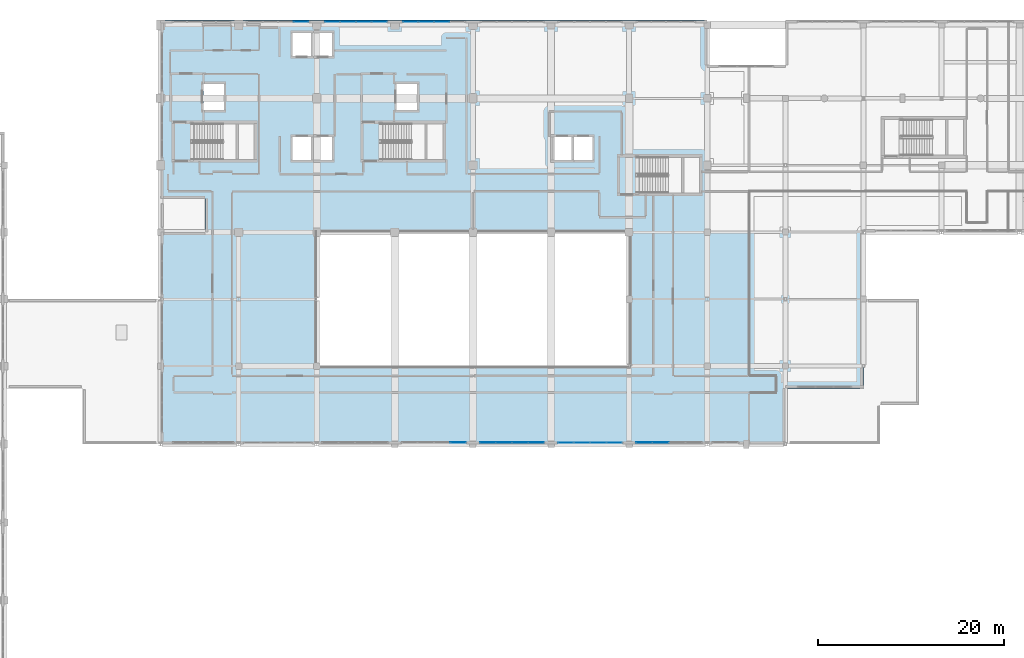
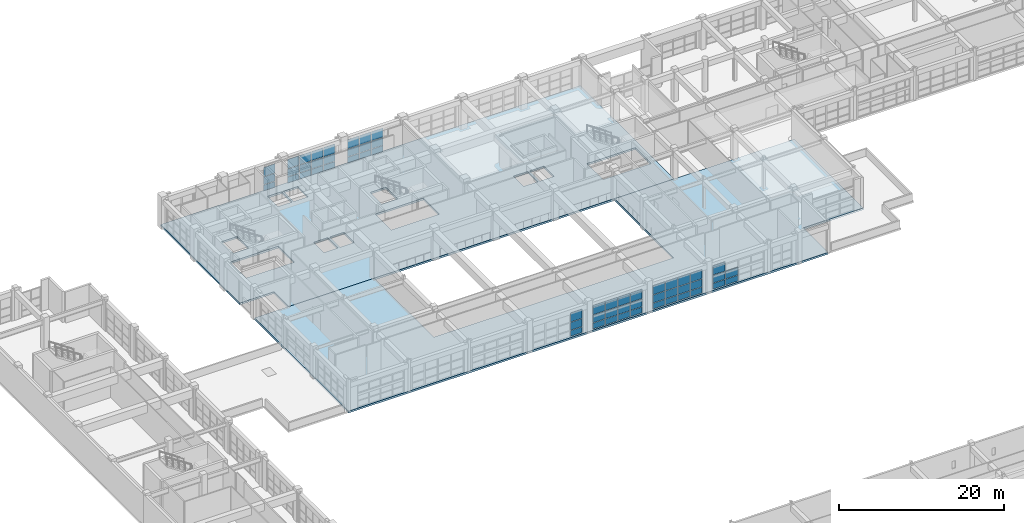
# One storey, part 94 of 123: 56 plates, 2 slabs, 7 elements without a shape of their own.
"""IFC4 building model written with IfcOpenShell, lengths in metres."""

from ifc_helpers import new_model, si_unit, direction, frame, origin, origin_2d, place, context, subcontext, project, spatial, polyline, rectangle, outline, extrude, material, layer, layer_set, type_object, element, aggregate, save


model = new_model("IFC4")

# Units and contexts
model_context = context("Model", 3, precision=1e-05, world=origin(), true_north=direction((0.0, 1.0)))
body_context = subcontext(model_context, "Body", "Model", "MODEL_VIEW")
ifc_project = project(units=[si_unit("LENGTHUNIT", "METRE"), si_unit("AREAUNIT", "SQUARE_METRE"), si_unit("VOLUMEUNIT", "CUBIC_METRE"), si_unit("PLANEANGLEUNIT", "RADIAN"), si_unit("MASSUNIT", "GRAM", prefix="KILO")], contexts=[model_context])

# Site, building, storey
site_placement = place(None, origin())
site = spatial("IfcSite", under=ifc_project, at=site_placement, CompositionType="ELEMENT")
building_placement = place(site_placement, origin())
building = spatial("IfcBuilding", under=site, at=building_placement, Name="Quendrovan Civic Courthouse", CompositionType="ELEMENT")
storey_placement = place(building_placement, frame((0.0, 0.0, 5.39990234375)))
storey = spatial("IfcBuildingStorey", under=building, at=storey_placement, Name="L02", CompositionType="ELEMENT", Elevation=5.39990234375)

# Curtain wall, plates
ifc_material_1 = material(Name="Bronze anodised aluminium and low-E glass", Category="aluminium")
ifc_layer_1 = layer(ifc_material_1, 0.179931640625, Name="Bronze anodised aluminium and low-E glass")
ifc_layer_set_1 = layer_set([ifc_layer_1], Name="Bronze anodised aluminium and low-E glass")
curtain_wall_type_1 = type_object("IfcCurtainWallType", Name="CW-U68x36", PredefinedType="USERDEFINED", material=ifc_layer_set_1)
curtain_wall_1_placement = place(storey_placement, origin())
curtain_wall_1 = element("IfcCurtainWall", 1, at=curtain_wall_1_placement, inside=storey, type_object=curtain_wall_type_1, Name="L02 Unitised Hurricane Curtain Wall CW-084", ObjectType="UNITISED CURTAIN WALL", PredefinedType="USERDEFINED")
ifc_material_2 = material(Name="Laminated hurricane-impact low-E glass", Category="glass")
ifc_layer_2 = layer(ifc_material_2, 0.028076171875, Name="Laminated hurricane-impact low-E glass")
ifc_layer_set_2 = layer_set([ifc_layer_2], Name="Laminated hurricane-impact low-E glass")
plate_type_1 = type_object("IfcPlateType", Name="CW-PNL-1", PredefinedType="CURTAIN_PANEL", material=ifc_layer_set_2)
plate_1_placement = place(storey_placement, frame((60.486328125, 110.235107421875, 0.0703125), z_axis=(0.0, 0.0, 1.0), x_axis=(1.0, 0.0, 0.0)))
plate_1 = element("IfcPlate", 2, at=plate_1_placement, type_object=plate_type_1, Name="CW-084 panel 1.1", PredefinedType="CURTAIN_PANEL", context=body_context, shape_type="SweptSolid", body=[
    extrude(rectangle(XDim=1.58251953125, YDim=0.028076171875, at=origin_2d()), origin(), (0.0, 0.0, 1.0), 0.844970703125),
])
plate_2_placement = place(storey_placement, frame((60.486328125, 110.235107421875, 0.985107421875), z_axis=(0.0, 0.0, 1.0), x_axis=(1.0, 0.0, 0.0)))
plate_2 = element("IfcPlate", 3, at=plate_2_placement, type_object=plate_type_1, Name="CW-084 panel 1.2", PredefinedType="CURTAIN_PANEL", context=body_context, shape_type="SweptSolid", body=[
    extrude(rectangle(XDim=1.58251953125, YDim=0.028076171875, at=origin_2d()), origin(), (0.0, 0.0, 1.0), 1.1298828125),
])
plate_3_placement = place(storey_placement, frame((60.486328125, 110.235107421875, 2.18505859375), z_axis=(0.0, 0.0, 1.0), x_axis=(1.0, 0.0, 0.0)))
plate_3 = element("IfcPlate", 4, at=plate_3_placement, type_object=plate_type_1, Name="CW-084 panel 1.3", PredefinedType="CURTAIN_PANEL", context=body_context, shape_type="SweptSolid", body=[
    extrude(rectangle(XDim=1.58251953125, YDim=0.028076171875, at=origin_2d()), origin(), (0.0, 0.0, 1.0), 1.344970703125),
])
plate_4_placement = place(storey_placement, frame((62.15625, 110.235107421875, 0.0703125), z_axis=(0.0, 0.0, 1.0), x_axis=(1.0, 0.0, 0.0)))
plate_4 = element("IfcPlate", 5, at=plate_4_placement, type_object=plate_type_1, Name="CW-084 panel 2.1", PredefinedType="CURTAIN_PANEL", context=body_context, shape_type="SweptSolid", body=[
    extrude(rectangle(XDim=1.617431640625, YDim=0.028076171875, at=origin_2d()), origin(), (0.0, 0.0, 1.0), 0.844970703125),
])
plate_5_placement = place(storey_placement, frame((62.15625, 110.235107421875, 0.985107421875), z_axis=(0.0, 0.0, 1.0), x_axis=(1.0, 0.0, 0.0)))
plate_5 = element("IfcPlate", 6, at=plate_5_placement, type_object=plate_type_1, Name="CW-084 panel 2.2", PredefinedType="CURTAIN_PANEL", context=body_context, shape_type="SweptSolid", body=[
    extrude(rectangle(XDim=1.617431640625, YDim=0.028076171875, at=origin_2d()), origin(), (0.0, 0.0, 1.0), 1.1298828125),
])
plate_6_placement = place(storey_placement, frame((62.15625, 110.235107421875, 2.18505859375), z_axis=(0.0, 0.0, 1.0), x_axis=(1.0, 0.0, 0.0)))
plate_6 = element("IfcPlate", 7, at=plate_6_placement, type_object=plate_type_1, Name="CW-084 panel 2.3", PredefinedType="CURTAIN_PANEL", context=body_context, shape_type="SweptSolid", body=[
    extrude(rectangle(XDim=1.617431640625, YDim=0.028076171875, at=origin_2d()), origin(), (0.0, 0.0, 1.0), 1.344970703125),
])
plate_7_placement = place(storey_placement, frame((63.84375, 110.235107421875, 0.0703125), z_axis=(0.0, 0.0, 1.0), x_axis=(1.0, 0.0, 0.0)))
plate_7 = element("IfcPlate", 8, at=plate_7_placement, type_object=plate_type_1, Name="CW-084 panel 3.1", PredefinedType="CURTAIN_PANEL", context=body_context, shape_type="SweptSolid", body=[
    extrude(rectangle(XDim=1.617431640625, YDim=0.028076171875, at=origin_2d()), origin(), (0.0, 0.0, 1.0), 0.844970703125),
])
plate_8_placement = place(storey_placement, frame((63.84375, 110.235107421875, 0.985107421875), z_axis=(0.0, 0.0, 1.0), x_axis=(1.0, 0.0, 0.0)))
plate_8 = element("IfcPlate", 9, at=plate_8_placement, type_object=plate_type_1, Name="CW-084 panel 3.2", PredefinedType="CURTAIN_PANEL", context=body_context, shape_type="SweptSolid", body=[
    extrude(rectangle(XDim=1.617431640625, YDim=0.028076171875, at=origin_2d()), origin(), (0.0, 0.0, 1.0), 1.1298828125),
])
plate_9_placement = place(storey_placement, frame((63.84375, 110.235107421875, 2.18505859375), z_axis=(0.0, 0.0, 1.0), x_axis=(1.0, 0.0, 0.0)))
plate_9 = element("IfcPlate", 10, at=plate_9_placement, type_object=plate_type_1, Name="CW-084 panel 3.3", PredefinedType="CURTAIN_PANEL", context=body_context, shape_type="SweptSolid", body=[
    extrude(rectangle(XDim=1.617431640625, YDim=0.028076171875, at=origin_2d()), origin(), (0.0, 0.0, 1.0), 1.344970703125),
])
aggregate(curtain_wall_1, [plate_1, plate_2, plate_3, plate_4, plate_5, plate_6, plate_7, plate_8, plate_9])

ifc_layer_3 = layer(ifc_material_1, 0.179931640625, Name="Bronze anodised aluminium and low-E glass")
ifc_layer_set_3 = layer_set([ifc_layer_3], Name="Bronze anodised aluminium and low-E glass")
curtain_wall_type_2 = type_object("IfcCurtainWallType", Name="CW-U70x36", PredefinedType="USERDEFINED", material=ifc_layer_set_3)
curtain_wall_2_placement = place(storey_placement, origin())
curtain_wall_2 = element("IfcCurtainWall", 11, at=curtain_wall_2_placement, inside=storey, type_object=curtain_wall_type_2, Name="L02 Unitised Hurricane Curtain Wall CW-108", ObjectType="UNITISED CURTAIN WALL", PredefinedType="USERDEFINED")
plate_10_placement = place(storey_placement, frame((82.407470703125, 64.965087890625, 0.0703125), z_axis=(0.0, 0.0, 1.0), x_axis=(-1.0, 0.0, 0.0)))
plate_10 = element("IfcPlate", 12, at=plate_10_placement, type_object=plate_type_1, Name="CW-108 panel 1.1", PredefinedType="CURTAIN_PANEL", context=body_context, shape_type="SweptSolid", body=[
    extrude(rectangle(XDim=1.64501953125, YDim=0.028076171875, at=origin_2d()), origin(), (0.0, 0.0, 1.0), 0.844970703125),
])
plate_11_placement = place(storey_placement, frame((82.407470703125, 64.965087890625, 0.985107421875), z_axis=(0.0, 0.0, 1.0), x_axis=(-1.0, 0.0, 0.0)))
plate_11 = element("IfcPlate", 13, at=plate_11_placement, type_object=plate_type_1, Name="CW-108 panel 1.2", PredefinedType="CURTAIN_PANEL", context=body_context, shape_type="SweptSolid", body=[
    extrude(rectangle(XDim=1.64501953125, YDim=0.028076171875, at=origin_2d()), origin(), (0.0, 0.0, 1.0), 1.1298828125),
])
plate_12_placement = place(storey_placement, frame((82.407470703125, 64.965087890625, 2.18505859375), z_axis=(0.0, 0.0, 1.0), x_axis=(-1.0, 0.0, 0.0)))
plate_12 = element("IfcPlate", 14, at=plate_12_placement, type_object=plate_type_1, Name="CW-108 panel 1.3", PredefinedType="CURTAIN_PANEL", context=body_context, shape_type="SweptSolid", body=[
    extrude(rectangle(XDim=1.64501953125, YDim=0.028076171875, at=origin_2d()), origin(), (0.0, 0.0, 1.0), 1.344970703125),
])
plate_13_placement = place(storey_placement, frame((80.675048828125, 64.965087890625, 0.0703125), z_axis=(0.0, 0.0, 1.0), x_axis=(-1.0, 0.0, 0.0)))
plate_13 = element("IfcPlate", 15, at=plate_13_placement, type_object=plate_type_1, Name="CW-108 panel 2.1", PredefinedType="CURTAIN_PANEL", context=body_context, shape_type="SweptSolid", body=[
    extrude(rectangle(XDim=1.679931640625, YDim=0.028076171875, at=origin_2d()), origin(), (0.0, 0.0, 1.0), 0.844970703125),
])
plate_14_placement = place(storey_placement, frame((80.675048828125, 64.965087890625, 0.985107421875), z_axis=(0.0, 0.0, 1.0), x_axis=(-1.0, 0.0, 0.0)))
plate_14 = element("IfcPlate", 16, at=plate_14_placement, type_object=plate_type_1, Name="CW-108 panel 2.2", PredefinedType="CURTAIN_PANEL", context=body_context, shape_type="SweptSolid", body=[
    extrude(rectangle(XDim=1.679931640625, YDim=0.028076171875, at=origin_2d()), origin(), (0.0, 0.0, 1.0), 1.1298828125),
])
plate_15_placement = place(storey_placement, frame((80.675048828125, 64.965087890625, 2.18505859375), z_axis=(0.0, 0.0, 1.0), x_axis=(-1.0, 0.0, 0.0)))
plate_15 = element("IfcPlate", 17, at=plate_15_placement, type_object=plate_type_1, Name="CW-108 panel 2.3", PredefinedType="CURTAIN_PANEL", context=body_context, shape_type="SweptSolid", body=[
    extrude(rectangle(XDim=1.679931640625, YDim=0.028076171875, at=origin_2d()), origin(), (0.0, 0.0, 1.0), 1.344970703125),
])
plate_16_placement = place(storey_placement, frame((78.925048828125, 64.965087890625, 0.0703125), z_axis=(0.0, 0.0, 1.0), x_axis=(-1.0, 0.0, 0.0)))
plate_16 = element("IfcPlate", 18, at=plate_16_placement, type_object=plate_type_1, Name="CW-108 panel 3.1", PredefinedType="CURTAIN_PANEL", context=body_context, shape_type="SweptSolid", body=[
    extrude(rectangle(XDim=1.679931640625, YDim=0.028076171875, at=origin_2d()), origin(), (0.0, 0.0, 1.0), 0.844970703125),
])
plate_17_placement = place(storey_placement, frame((78.925048828125, 64.965087890625, 0.985107421875), z_axis=(0.0, 0.0, 1.0), x_axis=(-1.0, 0.0, 0.0)))
plate_17 = element("IfcPlate", 19, at=plate_17_placement, type_object=plate_type_1, Name="CW-108 panel 3.2", PredefinedType="CURTAIN_PANEL", context=body_context, shape_type="SweptSolid", body=[
    extrude(rectangle(XDim=1.679931640625, YDim=0.028076171875, at=origin_2d()), origin(), (0.0, 0.0, 1.0), 1.1298828125),
])
plate_18_placement = place(storey_placement, frame((78.925048828125, 64.965087890625, 2.18505859375), z_axis=(0.0, 0.0, 1.0), x_axis=(-1.0, 0.0, 0.0)))
plate_18 = element("IfcPlate", 20, at=plate_18_placement, type_object=plate_type_1, Name="CW-108 panel 3.3", PredefinedType="CURTAIN_PANEL", context=body_context, shape_type="SweptSolid", body=[
    extrude(rectangle(XDim=1.679931640625, YDim=0.028076171875, at=origin_2d()), origin(), (0.0, 0.0, 1.0), 1.344970703125),
])
plate_19_placement = place(storey_placement, frame((77.1923828125, 64.965087890625, 0.0703125), z_axis=(0.0, 0.0, 1.0), x_axis=(-1.0, 0.0, 0.0)))
plate_19 = element("IfcPlate", 21, at=plate_19_placement, type_object=plate_type_1, Name="CW-108 panel 4.1", PredefinedType="CURTAIN_PANEL", context=body_context, shape_type="SweptSolid", body=[
    extrude(rectangle(XDim=1.64501953125, YDim=0.028076171875, at=origin_2d()), origin(), (0.0, 0.0, 1.0), 0.844970703125),
])
plate_20_placement = place(storey_placement, frame((77.1923828125, 64.965087890625, 0.985107421875), z_axis=(0.0, 0.0, 1.0), x_axis=(-1.0, 0.0, 0.0)))
plate_20 = element("IfcPlate", 22, at=plate_20_placement, type_object=plate_type_1, Name="CW-108 panel 4.2", PredefinedType="CURTAIN_PANEL", context=body_context, shape_type="SweptSolid", body=[
    extrude(rectangle(XDim=1.64501953125, YDim=0.028076171875, at=origin_2d()), origin(), (0.0, 0.0, 1.0), 1.1298828125),
])
plate_21_placement = place(storey_placement, frame((77.1923828125, 64.965087890625, 2.18505859375), z_axis=(0.0, 0.0, 1.0), x_axis=(-1.0, 0.0, 0.0)))
plate_21 = element("IfcPlate", 23, at=plate_21_placement, type_object=plate_type_1, Name="CW-108 panel 4.3", PredefinedType="CURTAIN_PANEL", context=body_context, shape_type="SweptSolid", body=[
    extrude(rectangle(XDim=1.64501953125, YDim=0.028076171875, at=origin_2d()), origin(), (0.0, 0.0, 1.0), 1.344970703125),
])
aggregate(curtain_wall_2, [plate_10, plate_11, plate_12, plate_13, plate_14, plate_15, plate_16, plate_17, plate_18, plate_19, plate_20, plate_21])

curtain_wall_3_placement = place(storey_placement, origin())
curtain_wall_3 = element("IfcCurtainWall", 24, at=curtain_wall_3_placement, inside=storey, type_object=curtain_wall_type_2, Name="L02 Unitised Hurricane Curtain Wall CW-109", ObjectType="UNITISED CURTAIN WALL", PredefinedType="USERDEFINED")
ifc_layer_4 = layer(ifc_material_2, 0.031982421875, Name="Laminated hurricane-impact low-E glass")
ifc_layer_set_4 = layer_set([ifc_layer_4], Name="Laminated hurricane-impact low-E glass")
plate_type_2 = type_object("IfcPlateType", Name="CW-PNL-2", PredefinedType="CURTAIN_PANEL", material=ifc_layer_set_4)
plate_22_placement = place(storey_placement, frame((74.0087890625, 64.965087890625, 0.065185546875), z_axis=(0.0, 0.0, 1.0), x_axis=(-1.0, 0.0, 0.0)))
plate_22 = element("IfcPlate", 25, at=plate_22_placement, type_object=plate_type_2, Name="CW-109 panel 1.1", PredefinedType="CURTAIN_PANEL", context=body_context, shape_type="SweptSolid", body=[
    extrude(rectangle(XDim=1.652587890625, YDim=0.031982421875, at=origin_2d()), origin(), (0.0, 0.0, 1.0), 0.8525390625),
])
plate_23_placement = place(storey_placement, frame((74.0087890625, 64.965087890625, 0.982421875), z_axis=(0.0, 0.0, 1.0), x_axis=(-1.0, 0.0, 0.0)))
plate_23 = element("IfcPlate", 26, at=plate_23_placement, type_object=plate_type_2, Name="CW-109 panel 1.2", PredefinedType="CURTAIN_PANEL", context=body_context, shape_type="SweptSolid", body=[
    extrude(rectangle(XDim=1.652587890625, YDim=0.031982421875, at=origin_2d()), origin(), (0.0, 0.0, 1.0), 1.135009765625),
])
plate_24_placement = place(storey_placement, frame((74.0087890625, 64.965087890625, 2.1826171875), z_axis=(0.0, 0.0, 1.0), x_axis=(-1.0, 0.0, 0.0)))
plate_24 = element("IfcPlate", 27, at=plate_24_placement, type_object=plate_type_2, Name="CW-109 panel 1.3", PredefinedType="CURTAIN_PANEL", context=body_context, shape_type="SweptSolid", body=[
    extrude(rectangle(XDim=1.652587890625, YDim=0.031982421875, at=origin_2d()), origin(), (0.0, 0.0, 1.0), 1.3525390625),
])
plate_25_placement = place(storey_placement, frame((72.27490234375, 64.965087890625, 0.065185546875), z_axis=(0.0, 0.0, 1.0), x_axis=(-1.0, 0.0, 0.0)))
plate_25 = element("IfcPlate", 28, at=plate_25_placement, type_object=plate_type_2, Name="CW-109 panel 2.1", PredefinedType="CURTAIN_PANEL", context=body_context, shape_type="SweptSolid", body=[
    extrude(rectangle(XDim=1.68505859375, YDim=0.031982421875, at=origin_2d()), origin(), (0.0, 0.0, 1.0), 0.8525390625),
])
plate_26_placement = place(storey_placement, frame((72.27490234375, 64.965087890625, 0.982421875), z_axis=(0.0, 0.0, 1.0), x_axis=(-1.0, 0.0, 0.0)))
plate_26 = element("IfcPlate", 29, at=plate_26_placement, type_object=plate_type_2, Name="CW-109 panel 2.2", PredefinedType="CURTAIN_PANEL", context=body_context, shape_type="SweptSolid", body=[
    extrude(rectangle(XDim=1.68505859375, YDim=0.031982421875, at=origin_2d()), origin(), (0.0, 0.0, 1.0), 1.135009765625),
])
plate_27_placement = place(storey_placement, frame((72.27490234375, 64.965087890625, 2.1826171875), z_axis=(0.0, 0.0, 1.0), x_axis=(-1.0, 0.0, 0.0)))
plate_27 = element("IfcPlate", 30, at=plate_27_placement, type_object=plate_type_2, Name="CW-109 panel 2.3", PredefinedType="CURTAIN_PANEL", context=body_context, shape_type="SweptSolid", body=[
    extrude(rectangle(XDim=1.68505859375, YDim=0.031982421875, at=origin_2d()), origin(), (0.0, 0.0, 1.0), 1.3525390625),
])
plate_28_placement = place(storey_placement, frame((70.52490234375, 64.965087890625, 0.065185546875), z_axis=(0.0, 0.0, 1.0), x_axis=(-1.0, 0.0, 0.0)))
plate_28 = element("IfcPlate", 31, at=plate_28_placement, type_object=plate_type_2, Name="CW-109 panel 3.1", PredefinedType="CURTAIN_PANEL", context=body_context, shape_type="SweptSolid", body=[
    extrude(rectangle(XDim=1.68505859375, YDim=0.031982421875, at=origin_2d()), origin(), (0.0, 0.0, 1.0), 0.8525390625),
])
plate_29_placement = place(storey_placement, frame((70.52490234375, 64.965087890625, 0.982421875), z_axis=(0.0, 0.0, 1.0), x_axis=(-1.0, 0.0, 0.0)))
plate_29 = element("IfcPlate", 32, at=plate_29_placement, type_object=plate_type_2, Name="CW-109 panel 3.2", PredefinedType="CURTAIN_PANEL", context=body_context, shape_type="SweptSolid", body=[
    extrude(rectangle(XDim=1.68505859375, YDim=0.031982421875, at=origin_2d()), origin(), (0.0, 0.0, 1.0), 1.135009765625),
])
plate_30_placement = place(storey_placement, frame((70.52490234375, 64.965087890625, 2.1826171875), z_axis=(0.0, 0.0, 1.0), x_axis=(-1.0, 0.0, 0.0)))
plate_30 = element("IfcPlate", 33, at=plate_30_placement, type_object=plate_type_2, Name="CW-109 panel 3.3", PredefinedType="CURTAIN_PANEL", context=body_context, shape_type="SweptSolid", body=[
    extrude(rectangle(XDim=1.68505859375, YDim=0.031982421875, at=origin_2d()), origin(), (0.0, 0.0, 1.0), 1.3525390625),
])
plate_31_placement = place(storey_placement, frame((68.791259765625, 64.965087890625, 0.065185546875), z_axis=(0.0, 0.0, 1.0), x_axis=(-1.0, 0.0, 0.0)))
plate_31 = element("IfcPlate", 34, at=plate_31_placement, type_object=plate_type_2, Name="CW-109 panel 4.1", PredefinedType="CURTAIN_PANEL", context=body_context, shape_type="SweptSolid", body=[
    extrude(rectangle(XDim=1.652587890625, YDim=0.031982421875, at=origin_2d()), origin(), (0.0, 0.0, 1.0), 0.8525390625),
])
plate_32_placement = place(storey_placement, frame((68.791259765625, 64.965087890625, 0.982421875), z_axis=(0.0, 0.0, 1.0), x_axis=(-1.0, 0.0, 0.0)))
plate_32 = element("IfcPlate", 35, at=plate_32_placement, type_object=plate_type_2, Name="CW-109 panel 4.2", PredefinedType="CURTAIN_PANEL", context=body_context, shape_type="SweptSolid", body=[
    extrude(rectangle(XDim=1.652587890625, YDim=0.031982421875, at=origin_2d()), origin(), (0.0, 0.0, 1.0), 1.135009765625),
])
plate_33_placement = place(storey_placement, frame((68.791259765625, 64.965087890625, 2.1826171875), z_axis=(0.0, 0.0, 1.0), x_axis=(-1.0, 0.0, 0.0)))
plate_33 = element("IfcPlate", 36, at=plate_33_placement, type_object=plate_type_2, Name="CW-109 panel 4.3", PredefinedType="CURTAIN_PANEL", context=body_context, shape_type="SweptSolid", body=[
    extrude(rectangle(XDim=1.652587890625, YDim=0.031982421875, at=origin_2d()), origin(), (0.0, 0.0, 1.0), 1.3525390625),
])
aggregate(curtain_wall_3, [plate_22, plate_23, plate_24, plate_25, plate_26, plate_27, plate_28, plate_29, plate_30, plate_31, plate_32, plate_33])

ifc_layer_5 = layer(ifc_material_1, 0.179931640625, Name="Bronze anodised aluminium and low-E glass")
ifc_layer_set_5 = layer_set([ifc_layer_5], Name="Bronze anodised aluminium and low-E glass")
curtain_wall_type_3 = type_object("IfcCurtainWallType", Name="CW-U67x36", PredefinedType="USERDEFINED", material=ifc_layer_set_5)
curtain_wall_4_placement = place(storey_placement, origin())
curtain_wall_4 = element("IfcCurtainWall", 37, at=curtain_wall_4_placement, inside=storey, type_object=curtain_wall_type_3, Name="L02 Unitised Hurricane Curtain Wall CW-082", ObjectType="UNITISED CURTAIN WALL", PredefinedType="USERDEFINED")
ifc_layer_6 = layer(ifc_material_2, 0.035888671875, Name="Laminated hurricane-impact low-E glass")
ifc_layer_set_6 = layer_set([ifc_layer_6], Name="Laminated hurricane-impact low-E glass")
plate_type_3 = type_object("IfcPlateType", Name="CW-PNL-3", PredefinedType="CURTAIN_PANEL", material=ifc_layer_set_6)
plate_34_placement = place(storey_placement, frame((48.719970703125, 110.235107421875, 0.0703125), z_axis=(0.0, 0.0, 1.0), x_axis=(1.0, 0.0, 0.0)))
plate_34 = element("IfcPlate", 38, at=plate_34_placement, type_object=plate_type_3, Name="CW-082 panel 4.1", PredefinedType="CURTAIN_PANEL", context=body_context, shape_type="SweptSolid", body=[
    extrude(rectangle(XDim=1.570068359375, YDim=0.035888671875, at=origin_2d()), origin(), (0.0, 0.0, 1.0), 0.844970703125),
])
plate_35_placement = place(storey_placement, frame((48.719970703125, 110.235107421875, 0.985107421875), z_axis=(0.0, 0.0, 1.0), x_axis=(1.0, 0.0, 0.0)))
plate_35 = element("IfcPlate", 39, at=plate_35_placement, type_object=plate_type_3, Name="CW-082 panel 4.2", PredefinedType="CURTAIN_PANEL", context=body_context, shape_type="SweptSolid", body=[
    extrude(rectangle(XDim=1.570068359375, YDim=0.035888671875, at=origin_2d()), origin(), (0.0, 0.0, 1.0), 1.1298828125),
])
plate_36_placement = place(storey_placement, frame((48.719970703125, 110.235107421875, 2.18505859375), z_axis=(0.0, 0.0, 1.0), x_axis=(1.0, 0.0, 0.0)))
plate_36 = element("IfcPlate", 40, at=plate_36_placement, type_object=plate_type_3, Name="CW-082 panel 4.3", PredefinedType="CURTAIN_PANEL", context=body_context, shape_type="SweptSolid", body=[
    extrude(rectangle(XDim=1.570068359375, YDim=0.035888671875, at=origin_2d()), origin(), (0.0, 0.0, 1.0), 1.344970703125),
])
aggregate(curtain_wall_4, [plate_34, plate_35, plate_36])

curtain_wall_5_placement = place(storey_placement, origin())
curtain_wall_5 = element("IfcCurtainWall", 41, at=curtain_wall_5_placement, inside=storey, type_object=curtain_wall_type_2, Name="L02 Unitised Hurricane Curtain Wall CW-110", ObjectType="UNITISED CURTAIN WALL", PredefinedType="USERDEFINED")
plate_37_placement = place(storey_placement, frame((65.607421875, 64.965087890625, 0.0703125), z_axis=(0.0, 0.0, 1.0), x_axis=(-1.0, 0.0, 0.0)))
plate_37 = element("IfcPlate", 42, at=plate_37_placement, type_object=plate_type_3, Name="CW-110 panel 1.1", PredefinedType="CURTAIN_PANEL", context=body_context, shape_type="SweptSolid", body=[
    extrude(rectangle(XDim=1.64501953125, YDim=0.035888671875, at=origin_2d()), origin(), (0.0, 0.0, 1.0), 0.844970703125),
])
plate_38_placement = place(storey_placement, frame((65.607421875, 64.965087890625, 0.985107421875), z_axis=(0.0, 0.0, 1.0), x_axis=(-1.0, 0.0, 0.0)))
plate_38 = element("IfcPlate", 43, at=plate_38_placement, type_object=plate_type_3, Name="CW-110 panel 1.2", PredefinedType="CURTAIN_PANEL", context=body_context, shape_type="SweptSolid", body=[
    extrude(rectangle(XDim=1.64501953125, YDim=0.035888671875, at=origin_2d()), origin(), (0.0, 0.0, 1.0), 1.1298828125),
])
plate_39_placement = place(storey_placement, frame((65.607421875, 64.965087890625, 2.18505859375), z_axis=(0.0, 0.0, 1.0), x_axis=(-1.0, 0.0, 0.0)))
plate_39 = element("IfcPlate", 44, at=plate_39_placement, type_object=plate_type_3, Name="CW-110 panel 1.3", PredefinedType="CURTAIN_PANEL", context=body_context, shape_type="SweptSolid", body=[
    extrude(rectangle(XDim=1.64501953125, YDim=0.035888671875, at=origin_2d()), origin(), (0.0, 0.0, 1.0), 1.344970703125),
])
aggregate(curtain_wall_5, [plate_37, plate_38, plate_39])

curtain_wall_6_placement = place(storey_placement, origin())
curtain_wall_6 = element("IfcCurtainWall", 45, at=curtain_wall_6_placement, inside=storey, type_object=curtain_wall_type_1, Name="L02 Unitised Hurricane Curtain Wall CW-083", ObjectType="UNITISED CURTAIN WALL", PredefinedType="USERDEFINED")
ifc_layer_7 = layer(ifc_material_2, 0.0419921875, Name="Laminated hurricane-impact low-E glass")
ifc_layer_set_7 = layer_set([ifc_layer_7], Name="Laminated hurricane-impact low-E glass")
plate_type_4 = type_object("IfcPlateType", Name="CW-PNL-4", PredefinedType="CURTAIN_PANEL", material=ifc_layer_set_7)
plate_40_placement = place(storey_placement, frame((52.0849609375, 110.235107421875, 0.065185546875), z_axis=(0.0, 0.0, 1.0), x_axis=(1.0, 0.0, 0.0)))
plate_40 = element("IfcPlate", 46, at=plate_40_placement, type_object=plate_type_4, Name="CW-083 panel 1.1", PredefinedType="CURTAIN_PANEL", context=body_context, shape_type="SweptSolid", body=[
    extrude(rectangle(XDim=1.590087890625, YDim=0.0419921875, at=origin_2d()), origin(), (0.0, 0.0, 1.0), 0.8525390625),
])
plate_41_placement = place(storey_placement, frame((52.0849609375, 110.235107421875, 0.982421875), z_axis=(0.0, 0.0, 1.0), x_axis=(1.0, 0.0, 0.0)))
plate_41 = element("IfcPlate", 47, at=plate_41_placement, type_object=plate_type_4, Name="CW-083 panel 1.2", PredefinedType="CURTAIN_PANEL", context=body_context, shape_type="SweptSolid", body=[
    extrude(rectangle(XDim=1.590087890625, YDim=0.0419921875, at=origin_2d()), origin(), (0.0, 0.0, 1.0), 1.135009765625),
])
plate_42_placement = place(storey_placement, frame((52.0849609375, 110.235107421875, 2.1826171875), z_axis=(0.0, 0.0, 1.0), x_axis=(1.0, 0.0, 0.0)))
plate_42 = element("IfcPlate", 48, at=plate_42_placement, type_object=plate_type_4, Name="CW-083 panel 1.3", PredefinedType="CURTAIN_PANEL", context=body_context, shape_type="SweptSolid", body=[
    extrude(rectangle(XDim=1.590087890625, YDim=0.0419921875, at=origin_2d()), origin(), (0.0, 0.0, 1.0), 1.3525390625),
])
plate_43_placement = place(storey_placement, frame((53.75634765625, 110.235107421875, 0.065185546875), z_axis=(0.0, 0.0, 1.0), x_axis=(1.0, 0.0, 0.0)))
plate_43 = element("IfcPlate", 49, at=plate_43_placement, type_object=plate_type_4, Name="CW-083 panel 2.1", PredefinedType="CURTAIN_PANEL", context=body_context, shape_type="SweptSolid", body=[
    extrude(rectangle(XDim=1.62255859375, YDim=0.0419921875, at=origin_2d()), origin(), (0.0, 0.0, 1.0), 0.8525390625),
])
plate_44_placement = place(storey_placement, frame((53.75634765625, 110.235107421875, 0.982421875), z_axis=(0.0, 0.0, 1.0), x_axis=(1.0, 0.0, 0.0)))
plate_44 = element("IfcPlate", 50, at=plate_44_placement, type_object=plate_type_4, Name="CW-083 panel 2.2", PredefinedType="CURTAIN_PANEL", context=body_context, shape_type="SweptSolid", body=[
    extrude(rectangle(XDim=1.62255859375, YDim=0.0419921875, at=origin_2d()), origin(), (0.0, 0.0, 1.0), 1.135009765625),
])
plate_45_placement = place(storey_placement, frame((53.75634765625, 110.235107421875, 2.1826171875), z_axis=(0.0, 0.0, 1.0), x_axis=(1.0, 0.0, 0.0)))
plate_45 = element("IfcPlate", 51, at=plate_45_placement, type_object=plate_type_4, Name="CW-083 panel 2.3", PredefinedType="CURTAIN_PANEL", context=body_context, shape_type="SweptSolid", body=[
    extrude(rectangle(XDim=1.62255859375, YDim=0.0419921875, at=origin_2d()), origin(), (0.0, 0.0, 1.0), 1.3525390625),
])
plate_46_placement = place(storey_placement, frame((55.44384765625, 110.235107421875, 0.065185546875), z_axis=(0.0, 0.0, 1.0), x_axis=(1.0, 0.0, 0.0)))
plate_46 = element("IfcPlate", 52, at=plate_46_placement, type_object=plate_type_4, Name="CW-083 panel 3.1", PredefinedType="CURTAIN_PANEL", context=body_context, shape_type="SweptSolid", body=[
    extrude(rectangle(XDim=1.62255859375, YDim=0.0419921875, at=origin_2d()), origin(), (0.0, 0.0, 1.0), 0.8525390625),
])
plate_47_placement = place(storey_placement, frame((55.44384765625, 110.235107421875, 0.982421875), z_axis=(0.0, 0.0, 1.0), x_axis=(1.0, 0.0, 0.0)))
plate_47 = element("IfcPlate", 53, at=plate_47_placement, type_object=plate_type_4, Name="CW-083 panel 3.2", PredefinedType="CURTAIN_PANEL", context=body_context, shape_type="SweptSolid", body=[
    extrude(rectangle(XDim=1.62255859375, YDim=0.0419921875, at=origin_2d()), origin(), (0.0, 0.0, 1.0), 1.135009765625),
])
plate_48_placement = place(storey_placement, frame((55.44384765625, 110.235107421875, 2.1826171875), z_axis=(0.0, 0.0, 1.0), x_axis=(1.0, 0.0, 0.0)))
plate_48 = element("IfcPlate", 54, at=plate_48_placement, type_object=plate_type_4, Name="CW-083 panel 3.3", PredefinedType="CURTAIN_PANEL", context=body_context, shape_type="SweptSolid", body=[
    extrude(rectangle(XDim=1.62255859375, YDim=0.0419921875, at=origin_2d()), origin(), (0.0, 0.0, 1.0), 1.3525390625),
])
plate_49_placement = place(storey_placement, frame((57.114990234375, 110.235107421875, 0.065185546875), z_axis=(0.0, 0.0, 1.0), x_axis=(1.0, 0.0, 0.0)))
plate_49 = element("IfcPlate", 55, at=plate_49_placement, type_object=plate_type_4, Name="CW-083 panel 4.1", PredefinedType="CURTAIN_PANEL", context=body_context, shape_type="SweptSolid", body=[
    extrude(rectangle(XDim=1.590087890625, YDim=0.0419921875, at=origin_2d()), origin(), (0.0, 0.0, 1.0), 0.8525390625),
])
plate_50_placement = place(storey_placement, frame((57.114990234375, 110.235107421875, 0.982421875), z_axis=(0.0, 0.0, 1.0), x_axis=(1.0, 0.0, 0.0)))
plate_50 = element("IfcPlate", 56, at=plate_50_placement, type_object=plate_type_4, Name="CW-083 panel 4.2", PredefinedType="CURTAIN_PANEL", context=body_context, shape_type="SweptSolid", body=[
    extrude(rectangle(XDim=1.590087890625, YDim=0.0419921875, at=origin_2d()), origin(), (0.0, 0.0, 1.0), 1.135009765625),
])
plate_51_placement = place(storey_placement, frame((57.114990234375, 110.235107421875, 2.1826171875), z_axis=(0.0, 0.0, 1.0), x_axis=(1.0, 0.0, 0.0)))
plate_51 = element("IfcPlate", 57, at=plate_51_placement, type_object=plate_type_4, Name="CW-083 panel 4.3", PredefinedType="CURTAIN_PANEL", context=body_context, shape_type="SweptSolid", body=[
    extrude(rectangle(XDim=1.590087890625, YDim=0.0419921875, at=origin_2d()), origin(), (0.0, 0.0, 1.0), 1.3525390625),
])
aggregate(curtain_wall_6, [plate_40, plate_41, plate_42, plate_43, plate_44, plate_45, plate_46, plate_47, plate_48, plate_49, plate_50, plate_51])

ifc_layer_8 = layer(ifc_material_1, 0.179931640625, Name="Bronze anodised aluminium and low-E glass")
ifc_layer_set_8 = layer_set([ifc_layer_8], Name="Bronze anodised aluminium and low-E glass")
curtain_wall_type_4 = type_object("IfcCurtainWallType", Name="CW-U72x36", PredefinedType="USERDEFINED", material=ifc_layer_set_8)
curtain_wall_7_placement = place(storey_placement, origin())
curtain_wall_7 = element("IfcCurtainWall", 58, at=curtain_wall_7_placement, inside=storey, type_object=curtain_wall_type_4, Name="L02 Unitised Hurricane Curtain Wall CW-107", ObjectType="UNITISED CURTAIN WALL", PredefinedType="USERDEFINED")
plate_52_placement = place(storey_placement, frame((87.38623046875, 64.965087890625, 0.065185546875), z_axis=(0.0, 0.0, 1.0), x_axis=(-1.0, 0.0, 0.0)))
plate_52 = element("IfcPlate", 59, at=plate_52_placement, type_object=plate_type_4, Name="CW-107 panel 3.1", PredefinedType="CURTAIN_PANEL", context=body_context, shape_type="SweptSolid", body=[
    extrude(rectangle(XDim=1.725830078125, YDim=0.0419921875, at=origin_2d()), origin(), (0.0, 0.0, 1.0), 0.8525390625),
])
plate_53_placement = place(storey_placement, frame((87.38623046875, 64.965087890625, 0.982421875), z_axis=(0.0, 0.0, 1.0), x_axis=(-1.0, 0.0, 0.0)))
plate_53 = element("IfcPlate", 60, at=plate_53_placement, type_object=plate_type_4, Name="CW-107 panel 3.2", PredefinedType="CURTAIN_PANEL", context=body_context, shape_type="SweptSolid", body=[
    extrude(rectangle(XDim=1.725830078125, YDim=0.0419921875, at=origin_2d()), origin(), (0.0, 0.0, 1.0), 1.135009765625),
])
plate_54_placement = place(storey_placement, frame((85.611572265625, 64.965087890625, 0.065185546875), z_axis=(0.0, 0.0, 1.0), x_axis=(-1.0, 0.0, 0.0)))
plate_54 = element("IfcPlate", 61, at=plate_54_placement, type_object=plate_type_4, Name="CW-107 panel 4.1", PredefinedType="CURTAIN_PANEL", context=body_context, shape_type="SweptSolid", body=[
    extrude(rectangle(XDim=1.693359375, YDim=0.0419921875, at=origin_2d()), origin(), (0.0, 0.0, 1.0), 0.8525390625),
])
plate_55_placement = place(storey_placement, frame((85.611572265625, 64.965087890625, 0.982421875), z_axis=(0.0, 0.0, 1.0), x_axis=(-1.0, 0.0, 0.0)))
plate_55 = element("IfcPlate", 62, at=plate_55_placement, type_object=plate_type_4, Name="CW-107 panel 4.2", PredefinedType="CURTAIN_PANEL", context=body_context, shape_type="SweptSolid", body=[
    extrude(rectangle(XDim=1.693359375, YDim=0.0419921875, at=origin_2d()), origin(), (0.0, 0.0, 1.0), 1.135009765625),
])
plate_56_placement = place(storey_placement, frame((85.611572265625, 64.965087890625, 2.1826171875), z_axis=(0.0, 0.0, 1.0), x_axis=(-1.0, 0.0, 0.0)))
plate_56 = element("IfcPlate", 63, at=plate_56_placement, type_object=plate_type_4, Name="CW-107 panel 4.3", PredefinedType="CURTAIN_PANEL", context=body_context, shape_type="SweptSolid", body=[
    extrude(rectangle(XDim=1.693359375, YDim=0.0419921875, at=origin_2d()), origin(), (0.0, 0.0, 1.0), 1.3525390625),
])
aggregate(curtain_wall_7, [plate_52, plate_53, plate_54, plate_55, plate_56])

# Slabs
ifc_material_3 = material(Name="Post-tensioned concrete C50/60", Category="concrete")
ifc_layer_9 = layer(ifc_material_3, 0.280029296875, Name="Post-tensioned concrete C50/60")
ifc_layer_set_9 = layer_set([ifc_layer_9], Name="Post-tensioned concrete C50/60")
slab_type = type_object("IfcSlabType", Name="SLB-PT-280", PredefinedType="FLOOR", material=ifc_layer_set_9)
slab_1_placement = place(storey_placement, frame((0.0, 0.0, -0.27978515625)))
element("IfcSlab", 64, at=slab_1_placement, inside=storey, type_object=slab_type, Name="L02 Structural Floor Slab V3C", PredefinedType="FLOOR", context=body_context, shape_type="SweptSolid", body=[
    extrude(outline(polyline([(33.60009765625, 87.60009765625), (50.39990234375, 87.60009765625), (50.39990234375, 73.199951171875), (84.0, 73.199951171875), (84.0, 87.60009765625), (109.199951171875, 87.60009765625), (109.199951171875, 70.800048828125), (100.800048828125, 70.800048828125), (100.800048828125, 64.800048828125), (33.60009765625, 64.800048828125), (33.60009765625, 87.60009765625)])), origin(), (0.0, 0.0, 1.0), 0.27978515625),
])
slab_2_placement = place(storey_placement, frame((0.0, 0.0, -0.27978515625)))
element("IfcSlab", 65, at=slab_2_placement, inside=storey, type_object=slab_type, Name="L02 Structural Floor Slab V2N", PredefinedType="FLOOR", context=body_context, shape_type="SweptSolid", body=[
    extrude(outline(polyline([(92.39990234375, 110.39990234375), (92.39990234375, 87.60009765625), (38.39990234375, 87.60009765625), (38.39990234375, 91.199951171875), (33.60009765625, 91.199951171875), (33.60009765625, 110.39990234375), (92.39990234375, 110.39990234375)]), holes=[polyline([(49.800048828125, 97.85009765625), (47.800048828125, 97.85009765625), (47.800048828125, 95.35009765625), (49.800048828125, 95.35009765625), (49.800048828125, 97.85009765625)]), polyline([(52.050048828125, 97.85009765625), (50.050048828125, 97.85009765625), (50.050048828125, 95.35009765625), (52.050048828125, 95.35009765625), (52.050048828125, 97.85009765625)]), polyline([(43.699951171875, 99.280029296875), (36.949951171875, 99.280029296875), (36.949951171875, 95.39990234375), (43.699951171875, 95.39990234375), (43.699951171875, 99.280029296875)]), polyline([(40.39990234375, 100.75), (40.39990234375, 103.550048828125), (38.199951171875, 103.550048828125), (38.199951171875, 100.75), (40.39990234375, 100.75)]), polyline([(49.800048828125, 106.550048828125), (49.800048828125, 109.050048828125), (47.800048828125, 109.050048828125), (47.800048828125, 106.550048828125), (49.800048828125, 106.550048828125)]), polyline([(52.050048828125, 109.050048828125), (50.050048828125, 109.050048828125), (50.050048828125, 106.550048828125), (52.050048828125, 106.550048828125), (52.050048828125, 109.050048828125)]), polyline([(91.60009765625, 91.800048828125), (91.60009765625, 95.679931640625), (84.85009765625, 95.679931640625), (84.85009765625, 91.800048828125), (91.60009765625, 91.800048828125)]), polyline([(77.800048828125, 95.35009765625), (77.800048828125, 97.85009765625), (75.800048828125, 97.85009765625), (75.800048828125, 95.35009765625), (77.800048828125, 95.35009765625)]), polyline([(80.050048828125, 97.85009765625), (78.050048828125, 97.85009765625), (78.050048828125, 95.35009765625), (80.050048828125, 95.35009765625), (80.050048828125, 97.85009765625)]), polyline([(64.0, 95.39990234375), (64.0, 99.280029296875), (57.25, 99.280029296875), (57.25, 95.39990234375), (64.0, 95.39990234375)]), polyline([(61.199951171875, 100.75), (61.199951171875, 103.550048828125), (59.0, 103.550048828125), (59.0, 100.75), (61.199951171875, 100.75)])]), origin(), (0.0, 0.0, 1.0), 0.27978515625),
])

save(model, "model.ifc")
